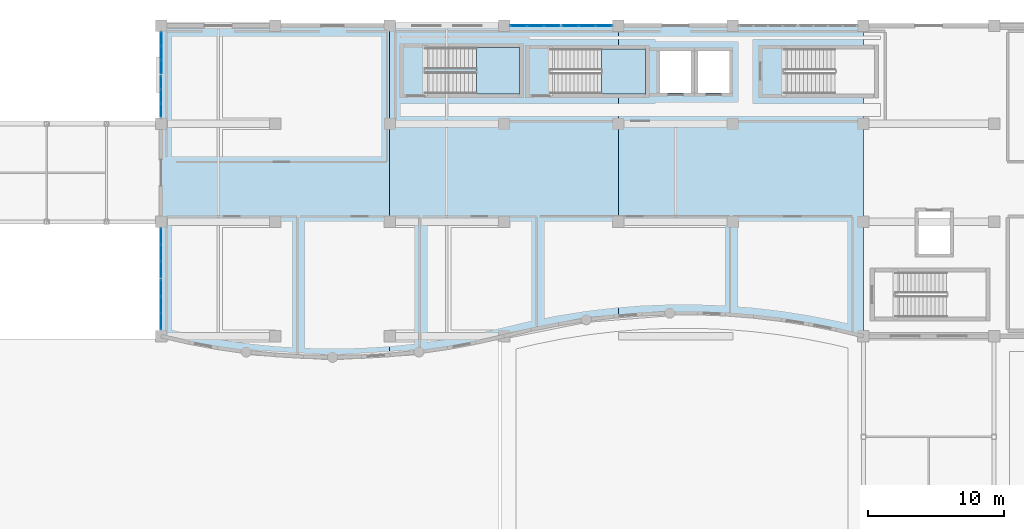
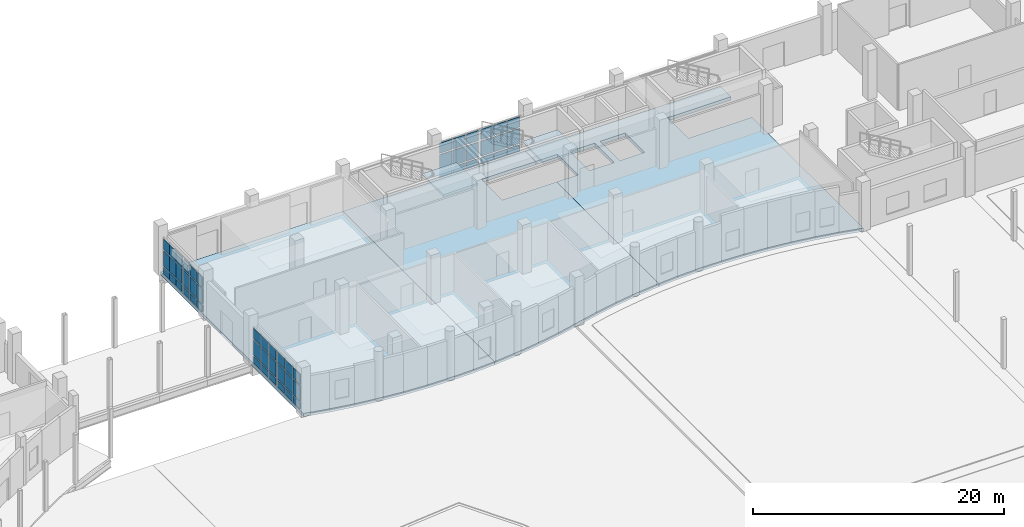
# One storey, part 51 of 97: 54 plates, 5 slabs, 8 elements without a shape of their own.
"""IFC4 building model written with IfcOpenShell, lengths in metres."""

import ifcopenshell
import ifcopenshell.guid

model = None  # the IFC model being written
_history = None  # IfcOwnerHistory: only IFC2X3 demands one
_inside = {}  # id of a spatial element -> (the spatial element, [elements in it])
_under = {}  # id of a project, library or spatial element -> (it, [spatial elements below it])
_declared = {}  # id of a project -> (the project, [libraries it declares])
_typed = {}  # id of a type object -> (the type object, [elements of that type])
_made_of = {}  # id of a material, layer set ... -> (it, [elements and type objects made of it])


def new_model(schema):
    """Start an empty IFC model of exactly this schema.

    Asked for "IFC4X3", IfcOpenShell would pick the latest addendum, in which some entities
    have other attributes; the version numbers below select the first issue.
    IFC2X3 requires an IfcOwnerHistory on every rooted entity: one is made here for all.
    """
    global model, _history
    if schema == "IFC4X3":
        model = ifcopenshell.file(schema_version=(4, 3, 0, 0))
    else:
        model = ifcopenshell.file(schema=schema)
    _inside.clear()
    _under.clear()
    _declared.clear()
    _typed.clear()
    _made_of.clear()
    _history = None
    if model.schema == "IFC2X3":
        org = make("IfcOrganization", Name="unknown")
        user = make(
            "IfcPersonAndOrganization",
            ThePerson=make("IfcPerson", FamilyName="unknown"),
            TheOrganization=org,
        )
        app = make(
            "IfcApplication",
            ApplicationDeveloper=org,
            Version="unknown",
            ApplicationFullName="unknown",
            ApplicationIdentifier="unknown",
        )
        _history = make(
            "IfcOwnerHistory",
            OwningUser=user,
            OwningApplication=app,
            ChangeAction="ADDED",
            CreationDate=0,
        )
    return model


def make(cls, **values):
    """One entity of the class cls with the attributes given. An attribute that is None is left unset."""
    return model.create_entity(
        cls, **{name: value for name, value in values.items() if value is not None}
    )


def rooted(cls, **values):
    """An entity with a GlobalId (a new one), such as an element, a storey or a relation."""
    return make(cls, GlobalId=ifcopenshell.guid.new(), OwnerHistory=_history, **values)


def si_unit(unit_type, name, prefix=None):
    """IfcSIUnit, for example si_unit("LENGTHUNIT", "METRE", prefix="MILLI")."""
    return make("IfcSIUnit", UnitType=unit_type, Prefix=prefix, Name=name)


def assignment(units):
    """IfcUnitAssignment: the units of a project."""
    return None if units is None else make("IfcUnitAssignment", Units=units)


def point(xyz):
    """IfcCartesianPoint."""
    return None if xyz is None else make("IfcCartesianPoint", Coordinates=xyz)


def direction(xyz):
    """IfcDirection."""
    return None if xyz is None else make("IfcDirection", DirectionRatios=xyz)


def frame(location, z_axis=None, x_axis=None):
    """IfcAxis2Placement3D, a coordinate frame: its origin and axes. An axis left out is left unset."""
    return make(
        "IfcAxis2Placement3D",
        Location=point(location),
        Axis=direction(z_axis),
        RefDirection=direction(x_axis),
    )


def frame_2d(location, x_axis=None):
    """IfcAxis2Placement2D, a coordinate frame in the plane: its origin and x axis."""
    return make(
        "IfcAxis2Placement2D", Location=point(location), RefDirection=direction(x_axis)
    )


def origin():
    """The frame at (0, 0, 0) with its axes left unset."""
    return frame((0.0, 0.0, 0.0))


def origin_2d():
    """The frame at (0, 0) in the plane with its x axis left unset."""
    return frame_2d((0.0, 0.0))


def place(relative_to, where):
    """IfcLocalPlacement: puts the frame where relative to a parent placement (None: the world)."""
    return make(
        "IfcLocalPlacement", PlacementRelTo=relative_to, RelativePlacement=where
    )


def context(
    kind, dimensions, precision=None, world=None, true_north=None, identifier=None
):
    """IfcGeometricRepresentationContext, for example the 3D "Model" context."""
    return make(
        "IfcGeometricRepresentationContext",
        ContextIdentifier=identifier,
        ContextType=kind,
        CoordinateSpaceDimension=dimensions,
        Precision=precision,
        WorldCoordinateSystem=world,
        TrueNorth=true_north,
    )


def subcontext(parent, identifier, kind, view, scale=None):
    """IfcGeometricRepresentationSubContext, for example "Body" below "Model"."""
    return make(
        "IfcGeometricRepresentationSubContext",
        ContextIdentifier=identifier,
        ContextType=kind,
        ParentContext=parent,
        TargetScale=scale,
        TargetView=view,
    )


def project(units=None, contexts=None):
    """IfcProject with its units and contexts."""
    return rooted(
        "IfcProject",
        Name="project",
        RepresentationContexts=contexts,
        UnitsInContext=assignment(units),
    )


def spatial(cls, under=None, at=None, **own):
    """A site, building, storey or space (cls), placed at a placement, below another one or the project."""
    s = rooted(cls, ObjectPlacement=at, **own)
    if under is not None:
        _under.setdefault(under.id(), (under, []))[1].append(s)
    return s


def polyline(points):
    """IfcPolyline through the points."""
    return make("IfcPolyline", Points=[point(p) for p in points])


def profile(cls, at=None, kind="AREA", **sizes):
    """A parametric profile (cls). Its sizes go by their IFC names, for example OverallWidth=200.0."""
    return make(cls, ProfileType=kind, Position=at, **sizes)


def rectangle(**sizes):
    """IfcRectangleProfileDef."""
    return profile("IfcRectangleProfileDef", **sizes)


def outline(outer, holes=None, kind="AREA"):
    """IfcArbitraryClosedProfileDef: a profile drawn as a closed curve; with holes, ...WithVoids."""
    if holes is None:
        return make("IfcArbitraryClosedProfileDef", ProfileType=kind, OuterCurve=outer)
    return make(
        "IfcArbitraryProfileDefWithVoids",
        ProfileType=kind,
        OuterCurve=outer,
        InnerCurves=holes,
    )


def extrude(swept, where, along, depth):
    """IfcExtrudedAreaSolid: the profile swept, set in the frame where, extruded along a direction by depth."""
    return make(
        "IfcExtrudedAreaSolid",
        SweptArea=swept,
        Position=where,
        ExtrudedDirection=direction(along),
        Depth=depth,
    )


def shape(context_of_items, identifier, shape_type, items):
    """IfcShapeRepresentation: the items that make up one representation, for example the "Body"."""
    return make(
        "IfcShapeRepresentation",
        ContextOfItems=context_of_items,
        RepresentationIdentifier=identifier,
        RepresentationType=shape_type,
        Items=items,
    )


def material(Name=None, Category=None):
    """IfcMaterial."""
    return make("IfcMaterial", Name=Name, Category=Category)


def layer(
    of_material, thickness, ventilated=None, Name=None, Category=None, Priority=None
):
    """IfcMaterialLayer: one layer of a wall or slab, of a material (None: an air gap)."""
    return make(
        "IfcMaterialLayer",
        Material=of_material,
        LayerThickness=thickness,
        IsVentilated=ventilated,
        Name=Name,
        Category=Category,
        Priority=Priority,
    )


def layer_set(layers, Name=None):
    """IfcMaterialLayerSet."""
    return make("IfcMaterialLayerSet", MaterialLayers=layers, LayerSetName=Name)


def made_of(thing, what):
    """Note that an element or type object is made of a material, layer set ...; save() writes the relation."""
    if what is not None:
        _made_of.setdefault(what.id(), (what, []))[1].append(thing)
    return thing


def type_object(cls, material=None, **own):
    """A type object (cls), such as IfcWallType, which elements share."""
    return made_of(rooted(cls, **own), material)


def element(
    cls,
    number,
    at=None,
    inside=None,
    cuts=None,
    type_object=None,
    material=None,
    context=None,
    identifier="Body",
    shape_type=None,
    held_by="IfcProductDefinitionShape",
    body=None,
    shapes=None,
    **own,
):
    """One element of the class cls, such as IfcWall. Its Tag is "e" and its number.

    at: its placement. inside: the storey or other place that contains it. cuts: it is an
    opening in that element (IfcRelVoidsElement). A single representation is given by context,
    identifier, shape_type and body (its items); several are given by shapes. held_by: the class
    of the entity that holds the representations. save() writes the other relations.
    """
    e = rooted(cls, Tag="e%d" % number, ObjectPlacement=at, **own)
    if body is not None:
        shapes = [shape(context, identifier, shape_type, body)]
    if shapes is not None:
        e.Representation = make(held_by, Representations=shapes)
    if inside is not None:
        _inside.setdefault(inside.id(), (inside, []))[1].append(e)
    if cuts is not None:
        rooted(
            "IfcRelVoidsElement", RelatingBuildingElement=cuts, RelatedOpeningElement=e
        )
    if type_object is not None:
        _typed.setdefault(type_object.id(), (type_object, []))[1].append(e)
    return made_of(e, material)


def aggregate(whole, parts):
    """IfcRelAggregates: a whole, such as a stair, and the parts it consists of."""
    return rooted("IfcRelAggregates", RelatingObject=whole, RelatedObjects=parts)


def save(model, path):
    """Write the relations noted so far, then the file.

    IfcRelAggregates (storeys below a building ...), IfcRelContainedInSpatialStructure (elements
    in a storey), IfcRelDefinesByType, IfcRelAssociatesMaterial and IfcRelDeclares: one each for
    every whole, place, type object, material and project.
    """
    for whole, parts in _under.values():
        aggregate(whole, parts)
    for where, things in _inside.values():
        rooted(
            "IfcRelContainedInSpatialStructure",
            RelatedElements=things,
            RelatingStructure=where,
        )
    for kind, things in _typed.values():
        rooted("IfcRelDefinesByType", RelatedObjects=things, RelatingType=kind)
    for what, things in _made_of.values():
        rooted("IfcRelAssociatesMaterial", RelatedObjects=things, RelatingMaterial=what)
    for by, libraries in _declared.values():
        rooted("IfcRelDeclares", RelatingContext=by, RelatedDefinitions=libraries)
    model.write(path)


model = new_model("IFC4")

# Units and contexts
model_context = context("Model", 3, precision=1e-05, world=origin(), true_north=direction((0.0, 1.0)))
body_context = subcontext(model_context, "Body", "Model", "MODEL_VIEW")
ifc_project = project(units=[si_unit("LENGTHUNIT", "METRE"), si_unit("AREAUNIT", "SQUARE_METRE"), si_unit("VOLUMEUNIT", "CUBIC_METRE"), si_unit("PLANEANGLEUNIT", "RADIAN"), si_unit("MASSUNIT", "GRAM", prefix="KILO")], contexts=[model_context])

# Site, building, storey
site_placement = place(None, origin())
site = spatial("IfcSite", under=ifc_project, at=site_placement, CompositionType="ELEMENT")
building_placement = place(site_placement, origin())
building = spatial("IfcBuilding", under=site, at=building_placement, Name="Kisaragi Civic Commons", CompositionType="ELEMENT")
storey_placement = place(building_placement, origin())
storey = spatial("IfcBuildingStorey", under=building, at=storey_placement, Name="L00", CompositionType="ELEMENT", Elevation=0.0)

# Curtain wall, plates
ifc_material_1 = material(Name="Thermally broken anodized aluminium and low-E double glazing", Category="aluminium")
ifc_layer_1 = layer(ifc_material_1, 0.179931640625, Name="Thermally broken anodized aluminium and low-E double glazing", Category="aluminium")
ifc_layer_set_1 = layer_set([ifc_layer_1], Name="Thermally broken anodized aluminium and low-E double glazing")
curtain_wall_type = type_object("IfcCurtainWallType", Name="CW-01", PredefinedType="NOTDEFINED", material=ifc_layer_set_1)
curtain_wall_1_placement = place(storey_placement, origin())
curtain_wall_1 = element("IfcCurtainWall", 1, at=curtain_wall_1_placement, inside=storey, type_object=curtain_wall_type, Name="L00 curtain wall CW-01 CW-V4-L00-045", PredefinedType="NOTDEFINED")
ifc_layer_2 = layer(ifc_material_1, 0.0439453125, Name="Thermally broken anodized aluminium and low-E double glazing", Category="aluminium")
ifc_layer_set_2 = layer_set([ifc_layer_2], Name="Thermally broken anodized aluminium and low-E double glazing")
plate_type_1 = type_object("IfcPlateType", Name="CWP-01", PredefinedType="CURTAIN_PANEL", material=ifc_layer_set_2)
plate_1_placement = place(storey_placement, frame((98.2763671875, 118.800048828125, 0.14013671875), z_axis=(0.0, 0.0, 1.0), x_axis=(1.0, 0.0, 0.0)))
plate_1 = element("IfcPlate", 2, at=plate_1_placement, type_object=plate_type_1, Name="CW-01 panel 1.1", PredefinedType="CURTAIN_PANEL", context=body_context, shape_type="SweptSolid", body=[
    extrude(rectangle(XDim=1.142578125, YDim=0.0439453125, at=origin_2d()), origin(), (0.0, 0.0, 1.0), 0.639892578125),
])
plate_2_placement = place(storey_placement, frame((98.2763671875, 118.800048828125, 0.919921875), z_axis=(0.0, 0.0, 1.0), x_axis=(1.0, 0.0, 0.0)))
plate_2 = element("IfcPlate", 3, at=plate_2_placement, type_object=plate_type_1, Name="CW-01 panel 1.2", PredefinedType="CURTAIN_PANEL", context=body_context, shape_type="SweptSolid", body=[
    extrude(rectangle(XDim=1.142578125, YDim=0.0439453125, at=origin_2d()), origin(), (0.0, 0.0, 1.0), 1.4599609375),
])
plate_3_placement = place(storey_placement, frame((98.2763671875, 118.800048828125, 2.52001953125), z_axis=(0.0, 0.0, 1.0), x_axis=(1.0, 0.0, 0.0)))
plate_3 = element("IfcPlate", 4, at=plate_3_placement, type_object=plate_type_1, Name="CW-01 panel 1.3", PredefinedType="CURTAIN_PANEL", context=body_context, shape_type="SweptSolid", body=[
    extrude(rectangle(XDim=1.142578125, YDim=0.0439453125, at=origin_2d()), origin(), (0.0, 0.0, 1.0), 1.010009765625),
])
plate_4_placement = place(storey_placement, frame((99.5, 118.800048828125, 0.14013671875), z_axis=(0.0, 0.0, 1.0), x_axis=(1.0, 0.0, 0.0)))
plate_4 = element("IfcPlate", 5, at=plate_4_placement, type_object=plate_type_1, Name="CW-01 panel 2.1", PredefinedType="CURTAIN_PANEL", context=body_context, shape_type="SweptSolid", body=[
    extrude(rectangle(XDim=1.175048828125, YDim=0.0439453125, at=origin_2d()), origin(), (0.0, 0.0, 1.0), 0.639892578125),
])
plate_5_placement = place(storey_placement, frame((99.5, 118.800048828125, 0.919921875), z_axis=(0.0, 0.0, 1.0), x_axis=(1.0, 0.0, 0.0)))
plate_5 = element("IfcPlate", 6, at=plate_5_placement, type_object=plate_type_1, Name="CW-01 panel 2.2", PredefinedType="CURTAIN_PANEL", context=body_context, shape_type="SweptSolid", body=[
    extrude(rectangle(XDim=1.175048828125, YDim=0.0439453125, at=origin_2d()), origin(), (0.0, 0.0, 1.0), 1.4599609375),
])
plate_6_placement = place(storey_placement, frame((99.5, 118.800048828125, 2.52001953125), z_axis=(0.0, 0.0, 1.0), x_axis=(1.0, 0.0, 0.0)))
plate_6 = element("IfcPlate", 7, at=plate_6_placement, type_object=plate_type_1, Name="CW-01 panel 2.3", PredefinedType="CURTAIN_PANEL", context=body_context, shape_type="SweptSolid", body=[
    extrude(rectangle(XDim=1.175048828125, YDim=0.0439453125, at=origin_2d()), origin(), (0.0, 0.0, 1.0), 1.010009765625),
])
plate_7_placement = place(storey_placement, frame((100.7236328125, 118.800048828125, 0.14013671875), z_axis=(0.0, 0.0, 1.0), x_axis=(1.0, 0.0, 0.0)))
plate_7 = element("IfcPlate", 8, at=plate_7_placement, type_object=plate_type_1, Name="CW-01 panel 3.1", PredefinedType="CURTAIN_PANEL", context=body_context, shape_type="SweptSolid", body=[
    extrude(rectangle(XDim=1.142578125, YDim=0.0439453125, at=origin_2d()), origin(), (0.0, 0.0, 1.0), 0.639892578125),
])
plate_8_placement = place(storey_placement, frame((100.7236328125, 118.800048828125, 0.919921875), z_axis=(0.0, 0.0, 1.0), x_axis=(1.0, 0.0, 0.0)))
plate_8 = element("IfcPlate", 9, at=plate_8_placement, type_object=plate_type_1, Name="CW-01 panel 3.2", PredefinedType="CURTAIN_PANEL", context=body_context, shape_type="SweptSolid", body=[
    extrude(rectangle(XDim=1.142578125, YDim=0.0439453125, at=origin_2d()), origin(), (0.0, 0.0, 1.0), 1.4599609375),
])
plate_9_placement = place(storey_placement, frame((100.7236328125, 118.800048828125, 2.52001953125), z_axis=(0.0, 0.0, 1.0), x_axis=(1.0, 0.0, 0.0)))
plate_9 = element("IfcPlate", 10, at=plate_9_placement, type_object=plate_type_1, Name="CW-01 panel 3.3", PredefinedType="CURTAIN_PANEL", context=body_context, shape_type="SweptSolid", body=[
    extrude(rectangle(XDim=1.142578125, YDim=0.0439453125, at=origin_2d()), origin(), (0.0, 0.0, 1.0), 1.010009765625),
])
aggregate(curtain_wall_1, [plate_1, plate_2, plate_3, plate_4, plate_5, plate_6, plate_7, plate_8, plate_9])

curtain_wall_2_placement = place(storey_placement, origin())
curtain_wall_2 = element("IfcCurtainWall", 11, at=curtain_wall_2_placement, inside=storey, type_object=curtain_wall_type, Name="L00 curtain wall CW-01 CW-V4-L00-046", PredefinedType="NOTDEFINED")
ifc_layer_3 = layer(ifc_material_1, 0.052001953125, Name="Thermally broken anodized aluminium and low-E double glazing", Category="aluminium")
ifc_layer_set_3 = layer_set([ifc_layer_3], Name="Thermally broken anodized aluminium and low-E double glazing")
plate_type_2 = type_object("IfcPlateType", Name="CWP-02", PredefinedType="CURTAIN_PANEL", material=ifc_layer_set_3)
plate_10_placement = place(storey_placement, frame((102.076171875, 118.800048828125, 0.14013671875), z_axis=(0.0, 0.0, 1.0), x_axis=(1.0, 0.0, 0.0)))
plate_10 = element("IfcPlate", 12, at=plate_10_placement, type_object=plate_type_2, Name="CW-01 panel 1.1", PredefinedType="CURTAIN_PANEL", context=body_context, shape_type="SweptSolid", body=[
    extrude(rectangle(XDim=1.142578125, YDim=0.052001953125, at=origin_2d()), origin(), (0.0, 0.0, 1.0), 0.639892578125),
])
plate_11_placement = place(storey_placement, frame((102.076171875, 118.800048828125, 0.919921875), z_axis=(0.0, 0.0, 1.0), x_axis=(1.0, 0.0, 0.0)))
plate_11 = element("IfcPlate", 13, at=plate_11_placement, type_object=plate_type_2, Name="CW-01 panel 1.2", PredefinedType="CURTAIN_PANEL", context=body_context, shape_type="SweptSolid", body=[
    extrude(rectangle(XDim=1.142578125, YDim=0.052001953125, at=origin_2d()), origin(), (0.0, 0.0, 1.0), 1.4599609375),
])
plate_12_placement = place(storey_placement, frame((102.076171875, 118.800048828125, 2.52001953125), z_axis=(0.0, 0.0, 1.0), x_axis=(1.0, 0.0, 0.0)))
plate_12 = element("IfcPlate", 14, at=plate_12_placement, type_object=plate_type_2, Name="CW-01 panel 1.3", PredefinedType="CURTAIN_PANEL", context=body_context, shape_type="SweptSolid", body=[
    extrude(rectangle(XDim=1.142578125, YDim=0.052001953125, at=origin_2d()), origin(), (0.0, 0.0, 1.0), 1.010009765625),
])
plate_13_placement = place(storey_placement, frame((103.300048828125, 118.800048828125, 0.14013671875), z_axis=(0.0, 0.0, 1.0), x_axis=(1.0, 0.0, 0.0)))
plate_13 = element("IfcPlate", 15, at=plate_13_placement, type_object=plate_type_2, Name="CW-01 panel 2.1", PredefinedType="CURTAIN_PANEL", context=body_context, shape_type="SweptSolid", body=[
    extrude(rectangle(XDim=1.175048828125, YDim=0.052001953125, at=origin_2d()), origin(), (0.0, 0.0, 1.0), 0.639892578125),
])
plate_14_placement = place(storey_placement, frame((103.300048828125, 118.800048828125, 0.919921875), z_axis=(0.0, 0.0, 1.0), x_axis=(1.0, 0.0, 0.0)))
plate_14 = element("IfcPlate", 16, at=plate_14_placement, type_object=plate_type_2, Name="CW-01 panel 2.2", PredefinedType="CURTAIN_PANEL", context=body_context, shape_type="SweptSolid", body=[
    extrude(rectangle(XDim=1.175048828125, YDim=0.052001953125, at=origin_2d()), origin(), (0.0, 0.0, 1.0), 1.4599609375),
])
plate_15_placement = place(storey_placement, frame((103.300048828125, 118.800048828125, 2.52001953125), z_axis=(0.0, 0.0, 1.0), x_axis=(1.0, 0.0, 0.0)))
plate_15 = element("IfcPlate", 17, at=plate_15_placement, type_object=plate_type_2, Name="CW-01 panel 2.3", PredefinedType="CURTAIN_PANEL", context=body_context, shape_type="SweptSolid", body=[
    extrude(rectangle(XDim=1.175048828125, YDim=0.052001953125, at=origin_2d()), origin(), (0.0, 0.0, 1.0), 1.010009765625),
])
plate_16_placement = place(storey_placement, frame((104.523681640625, 118.800048828125, 0.14013671875), z_axis=(0.0, 0.0, 1.0), x_axis=(1.0, 0.0, 0.0)))
plate_16 = element("IfcPlate", 18, at=plate_16_placement, type_object=plate_type_2, Name="CW-01 panel 3.1", PredefinedType="CURTAIN_PANEL", context=body_context, shape_type="SweptSolid", body=[
    extrude(rectangle(XDim=1.142578125, YDim=0.052001953125, at=origin_2d()), origin(), (0.0, 0.0, 1.0), 0.639892578125),
])
plate_17_placement = place(storey_placement, frame((104.523681640625, 118.800048828125, 0.919921875), z_axis=(0.0, 0.0, 1.0), x_axis=(1.0, 0.0, 0.0)))
plate_17 = element("IfcPlate", 19, at=plate_17_placement, type_object=plate_type_2, Name="CW-01 panel 3.2", PredefinedType="CURTAIN_PANEL", context=body_context, shape_type="SweptSolid", body=[
    extrude(rectangle(XDim=1.142578125, YDim=0.052001953125, at=origin_2d()), origin(), (0.0, 0.0, 1.0), 1.4599609375),
])
plate_18_placement = place(storey_placement, frame((104.523681640625, 118.800048828125, 2.52001953125), z_axis=(0.0, 0.0, 1.0), x_axis=(1.0, 0.0, 0.0)))
plate_18 = element("IfcPlate", 20, at=plate_18_placement, type_object=plate_type_2, Name="CW-01 panel 3.3", PredefinedType="CURTAIN_PANEL", context=body_context, shape_type="SweptSolid", body=[
    extrude(rectangle(XDim=1.142578125, YDim=0.052001953125, at=origin_2d()), origin(), (0.0, 0.0, 1.0), 1.010009765625),
])
aggregate(curtain_wall_2, [plate_10, plate_11, plate_12, plate_13, plate_14, plate_15, plate_16, plate_17, plate_18])

curtain_wall_3_placement = place(storey_placement, origin())
curtain_wall_3 = element("IfcCurtainWall", 21, at=curtain_wall_3_placement, inside=storey, type_object=curtain_wall_type, Name="L00 curtain wall CW-01 CW-V4-L00-055", PredefinedType="NOTDEFINED")
ifc_layer_4 = layer(ifc_material_1, 0.050048828125, Name="Thermally broken anodized aluminium and low-E double glazing", Category="aluminium")
ifc_layer_set_4 = layer_set([ifc_layer_4], Name="Thermally broken anodized aluminium and low-E double glazing")
plate_type_3 = type_object("IfcPlateType", Name="CWP-14", PredefinedType="CURTAIN_PANEL", material=ifc_layer_set_4)
plate_19_placement = place(storey_placement, frame((72.0, 97.076171875, 0.14013671875), z_axis=(0.0, 0.0, 1.0), x_axis=(0.0, 1.0, 0.0)))
plate_19 = element("IfcPlate", 22, at=plate_19_placement, type_object=plate_type_3, Name="CW-01 panel 1.1", PredefinedType="CURTAIN_PANEL", context=body_context, shape_type="SweptSolid", body=[
    extrude(rectangle(XDim=1.142578125, YDim=0.050048828125, at=origin_2d()), origin(), (0.0, 0.0, 1.0), 0.639892578125),
])
plate_20_placement = place(storey_placement, frame((72.0, 97.076171875, 0.919921875), z_axis=(0.0, 0.0, 1.0), x_axis=(0.0, 1.0, 0.0)))
plate_20 = element("IfcPlate", 23, at=plate_20_placement, type_object=plate_type_3, Name="CW-01 panel 1.2", PredefinedType="CURTAIN_PANEL", context=body_context, shape_type="SweptSolid", body=[
    extrude(rectangle(XDim=1.142578125, YDim=0.050048828125, at=origin_2d()), origin(), (0.0, 0.0, 1.0), 1.4599609375),
])
plate_21_placement = place(storey_placement, frame((72.0, 97.076171875, 2.52001953125), z_axis=(0.0, 0.0, 1.0), x_axis=(0.0, 1.0, 0.0)))
plate_21 = element("IfcPlate", 24, at=plate_21_placement, type_object=plate_type_3, Name="CW-01 panel 1.3", PredefinedType="CURTAIN_PANEL", context=body_context, shape_type="SweptSolid", body=[
    extrude(rectangle(XDim=1.142578125, YDim=0.050048828125, at=origin_2d()), origin(), (0.0, 0.0, 1.0), 1.010009765625),
])
plate_22_placement = place(storey_placement, frame((72.0, 98.300048828125, 0.14013671875), z_axis=(0.0, 0.0, 1.0), x_axis=(0.0, 1.0, 0.0)))
plate_22 = element("IfcPlate", 25, at=plate_22_placement, type_object=plate_type_3, Name="CW-01 panel 2.1", PredefinedType="CURTAIN_PANEL", context=body_context, shape_type="SweptSolid", body=[
    extrude(rectangle(XDim=1.175048828125, YDim=0.050048828125, at=origin_2d()), origin(), (0.0, 0.0, 1.0), 0.639892578125),
])
plate_23_placement = place(storey_placement, frame((72.0, 98.300048828125, 0.919921875), z_axis=(0.0, 0.0, 1.0), x_axis=(0.0, 1.0, 0.0)))
plate_23 = element("IfcPlate", 26, at=plate_23_placement, type_object=plate_type_3, Name="CW-01 panel 2.2", PredefinedType="CURTAIN_PANEL", context=body_context, shape_type="SweptSolid", body=[
    extrude(rectangle(XDim=1.175048828125, YDim=0.050048828125, at=origin_2d()), origin(), (0.0, 0.0, 1.0), 1.4599609375),
])
plate_24_placement = place(storey_placement, frame((72.0, 98.300048828125, 2.52001953125), z_axis=(0.0, 0.0, 1.0), x_axis=(0.0, 1.0, 0.0)))
plate_24 = element("IfcPlate", 27, at=plate_24_placement, type_object=plate_type_3, Name="CW-01 panel 2.3", PredefinedType="CURTAIN_PANEL", context=body_context, shape_type="SweptSolid", body=[
    extrude(rectangle(XDim=1.175048828125, YDim=0.050048828125, at=origin_2d()), origin(), (0.0, 0.0, 1.0), 1.010009765625),
])
plate_25_placement = place(storey_placement, frame((72.0, 99.523681640625, 0.14013671875), z_axis=(0.0, 0.0, 1.0), x_axis=(0.0, 1.0, 0.0)))
plate_25 = element("IfcPlate", 28, at=plate_25_placement, type_object=plate_type_3, Name="CW-01 panel 3.1", PredefinedType="CURTAIN_PANEL", context=body_context, shape_type="SweptSolid", body=[
    extrude(rectangle(XDim=1.142578125, YDim=0.050048828125, at=origin_2d()), origin(), (0.0, 0.0, 1.0), 0.639892578125),
])
plate_26_placement = place(storey_placement, frame((72.0, 99.523681640625, 0.919921875), z_axis=(0.0, 0.0, 1.0), x_axis=(0.0, 1.0, 0.0)))
plate_26 = element("IfcPlate", 29, at=plate_26_placement, type_object=plate_type_3, Name="CW-01 panel 3.2", PredefinedType="CURTAIN_PANEL", context=body_context, shape_type="SweptSolid", body=[
    extrude(rectangle(XDim=1.142578125, YDim=0.050048828125, at=origin_2d()), origin(), (0.0, 0.0, 1.0), 1.4599609375),
])
plate_27_placement = place(storey_placement, frame((72.0, 99.523681640625, 2.52001953125), z_axis=(0.0, 0.0, 1.0), x_axis=(0.0, 1.0, 0.0)))
plate_27 = element("IfcPlate", 30, at=plate_27_placement, type_object=plate_type_3, Name="CW-01 panel 3.3", PredefinedType="CURTAIN_PANEL", context=body_context, shape_type="SweptSolid", body=[
    extrude(rectangle(XDim=1.142578125, YDim=0.050048828125, at=origin_2d()), origin(), (0.0, 0.0, 1.0), 1.010009765625),
])
aggregate(curtain_wall_3, [plate_19, plate_20, plate_21, plate_22, plate_23, plate_24, plate_25, plate_26, plate_27])

curtain_wall_4_placement = place(storey_placement, origin())
curtain_wall_4 = element("IfcCurtainWall", 31, at=curtain_wall_4_placement, inside=storey, type_object=curtain_wall_type, Name="L00 curtain wall CW-01 CW-V4-L00-056", PredefinedType="NOTDEFINED")
ifc_layer_5 = layer(ifc_material_1, 0.053955078125, Name="Thermally broken anodized aluminium and low-E double glazing", Category="aluminium")
ifc_layer_set_5 = layer_set([ifc_layer_5], Name="Thermally broken anodized aluminium and low-E double glazing")
plate_type_4 = type_object("IfcPlateType", Name="CWP-15", PredefinedType="CURTAIN_PANEL", material=ifc_layer_set_5)
plate_28_placement = place(storey_placement, frame((72.0, 100.876220703125, 0.14013671875), z_axis=(0.0, 0.0, 1.0), x_axis=(0.0, 1.0, 0.0)))
plate_28 = element("IfcPlate", 32, at=plate_28_placement, type_object=plate_type_4, Name="CW-01 panel 1.1", PredefinedType="CURTAIN_PANEL", context=body_context, shape_type="SweptSolid", body=[
    extrude(rectangle(XDim=1.142578125, YDim=0.053955078125, at=origin_2d()), origin(), (0.0, 0.0, 1.0), 0.639892578125),
])
plate_29_placement = place(storey_placement, frame((72.0, 100.876220703125, 0.919921875), z_axis=(0.0, 0.0, 1.0), x_axis=(0.0, 1.0, 0.0)))
plate_29 = element("IfcPlate", 33, at=plate_29_placement, type_object=plate_type_4, Name="CW-01 panel 1.2", PredefinedType="CURTAIN_PANEL", context=body_context, shape_type="SweptSolid", body=[
    extrude(rectangle(XDim=1.142578125, YDim=0.053955078125, at=origin_2d()), origin(), (0.0, 0.0, 1.0), 1.4599609375),
])
plate_30_placement = place(storey_placement, frame((72.0, 100.876220703125, 2.52001953125), z_axis=(0.0, 0.0, 1.0), x_axis=(0.0, 1.0, 0.0)))
plate_30 = element("IfcPlate", 34, at=plate_30_placement, type_object=plate_type_4, Name="CW-01 panel 1.3", PredefinedType="CURTAIN_PANEL", context=body_context, shape_type="SweptSolid", body=[
    extrude(rectangle(XDim=1.142578125, YDim=0.053955078125, at=origin_2d()), origin(), (0.0, 0.0, 1.0), 1.010009765625),
])
plate_31_placement = place(storey_placement, frame((72.0, 102.10009765625, 0.14013671875), z_axis=(0.0, 0.0, 1.0), x_axis=(0.0, 1.0, 0.0)))
plate_31 = element("IfcPlate", 35, at=plate_31_placement, type_object=plate_type_4, Name="CW-01 panel 2.1", PredefinedType="CURTAIN_PANEL", context=body_context, shape_type="SweptSolid", body=[
    extrude(rectangle(XDim=1.175048828125, YDim=0.053955078125, at=origin_2d()), origin(), (0.0, 0.0, 1.0), 0.639892578125),
])
plate_32_placement = place(storey_placement, frame((72.0, 102.10009765625, 0.919921875), z_axis=(0.0, 0.0, 1.0), x_axis=(0.0, 1.0, 0.0)))
plate_32 = element("IfcPlate", 36, at=plate_32_placement, type_object=plate_type_4, Name="CW-01 panel 2.2", PredefinedType="CURTAIN_PANEL", context=body_context, shape_type="SweptSolid", body=[
    extrude(rectangle(XDim=1.175048828125, YDim=0.053955078125, at=origin_2d()), origin(), (0.0, 0.0, 1.0), 1.4599609375),
])
plate_33_placement = place(storey_placement, frame((72.0, 102.10009765625, 2.52001953125), z_axis=(0.0, 0.0, 1.0), x_axis=(0.0, 1.0, 0.0)))
plate_33 = element("IfcPlate", 37, at=plate_33_placement, type_object=plate_type_4, Name="CW-01 panel 2.3", PredefinedType="CURTAIN_PANEL", context=body_context, shape_type="SweptSolid", body=[
    extrude(rectangle(XDim=1.175048828125, YDim=0.053955078125, at=origin_2d()), origin(), (0.0, 0.0, 1.0), 1.010009765625),
])
plate_34_placement = place(storey_placement, frame((72.0, 103.32373046875, 0.14013671875), z_axis=(0.0, 0.0, 1.0), x_axis=(0.0, 1.0, 0.0)))
plate_34 = element("IfcPlate", 38, at=plate_34_placement, type_object=plate_type_4, Name="CW-01 panel 3.1", PredefinedType="CURTAIN_PANEL", context=body_context, shape_type="SweptSolid", body=[
    extrude(rectangle(XDim=1.142578125, YDim=0.053955078125, at=origin_2d()), origin(), (0.0, 0.0, 1.0), 0.639892578125),
])
plate_35_placement = place(storey_placement, frame((72.0, 103.32373046875, 0.919921875), z_axis=(0.0, 0.0, 1.0), x_axis=(0.0, 1.0, 0.0)))
plate_35 = element("IfcPlate", 39, at=plate_35_placement, type_object=plate_type_4, Name="CW-01 panel 3.2", PredefinedType="CURTAIN_PANEL", context=body_context, shape_type="SweptSolid", body=[
    extrude(rectangle(XDim=1.142578125, YDim=0.053955078125, at=origin_2d()), origin(), (0.0, 0.0, 1.0), 1.4599609375),
])
plate_36_placement = place(storey_placement, frame((72.0, 103.32373046875, 2.52001953125), z_axis=(0.0, 0.0, 1.0), x_axis=(0.0, 1.0, 0.0)))
plate_36 = element("IfcPlate", 40, at=plate_36_placement, type_object=plate_type_4, Name="CW-01 panel 3.3", PredefinedType="CURTAIN_PANEL", context=body_context, shape_type="SweptSolid", body=[
    extrude(rectangle(XDim=1.142578125, YDim=0.053955078125, at=origin_2d()), origin(), (0.0, 0.0, 1.0), 1.010009765625),
])
aggregate(curtain_wall_4, [plate_28, plate_29, plate_30, plate_31, plate_32, plate_33, plate_34, plate_35, plate_36])

curtain_wall_5_placement = place(storey_placement, origin())
curtain_wall_5 = element("IfcCurtainWall", 41, at=curtain_wall_5_placement, inside=storey, type_object=curtain_wall_type, Name="L00 curtain wall CW-01 CW-V4-L00-057", PredefinedType="NOTDEFINED")
ifc_layer_6 = layer(ifc_material_1, 0.06201171875, Name="Thermally broken anodized aluminium and low-E double glazing", Category="aluminium")
ifc_layer_set_6 = layer_set([ifc_layer_6], Name="Thermally broken anodized aluminium and low-E double glazing")
plate_type_5 = type_object("IfcPlateType", Name="CWP-16", PredefinedType="CURTAIN_PANEL", material=ifc_layer_set_6)
plate_37_placement = place(storey_placement, frame((72.0, 112.576171875, 0.14013671875), z_axis=(0.0, 0.0, 1.0), x_axis=(0.0, 1.0, 0.0)))
plate_37 = element("IfcPlate", 42, at=plate_37_placement, type_object=plate_type_5, Name="CW-01 panel 1.1", PredefinedType="CURTAIN_PANEL", context=body_context, shape_type="SweptSolid", body=[
    extrude(rectangle(XDim=0.9423828125, YDim=0.06201171875, at=origin_2d()), origin(), (0.0, 0.0, 1.0), 0.639892578125),
])
plate_38_placement = place(storey_placement, frame((72.0, 112.576171875, 0.919921875), z_axis=(0.0, 0.0, 1.0), x_axis=(0.0, 1.0, 0.0)))
plate_38 = element("IfcPlate", 43, at=plate_38_placement, type_object=plate_type_5, Name="CW-01 panel 1.2", PredefinedType="CURTAIN_PANEL", context=body_context, shape_type="SweptSolid", body=[
    extrude(rectangle(XDim=0.9423828125, YDim=0.06201171875, at=origin_2d()), origin(), (0.0, 0.0, 1.0), 1.4599609375),
])
plate_39_placement = place(storey_placement, frame((72.0, 112.576171875, 2.52001953125), z_axis=(0.0, 0.0, 1.0), x_axis=(0.0, 1.0, 0.0)))
plate_39 = element("IfcPlate", 44, at=plate_39_placement, type_object=plate_type_5, Name="CW-01 panel 1.3", PredefinedType="CURTAIN_PANEL", context=body_context, shape_type="SweptSolid", body=[
    extrude(rectangle(XDim=0.9423828125, YDim=0.06201171875, at=origin_2d()), origin(), (0.0, 0.0, 1.0), 1.010009765625),
])
plate_40_placement = place(storey_placement, frame((72.0, 113.60009765625, 0.14013671875), z_axis=(0.0, 0.0, 1.0), x_axis=(0.0, 1.0, 0.0)))
plate_40 = element("IfcPlate", 45, at=plate_40_placement, type_object=plate_type_5, Name="CW-01 panel 2.1", PredefinedType="CURTAIN_PANEL", context=body_context, shape_type="SweptSolid", body=[
    extrude(rectangle(XDim=0.97509765625, YDim=0.06201171875, at=origin_2d()), origin(), (0.0, 0.0, 1.0), 0.639892578125),
])
plate_41_placement = place(storey_placement, frame((72.0, 113.60009765625, 0.919921875), z_axis=(0.0, 0.0, 1.0), x_axis=(0.0, 1.0, 0.0)))
plate_41 = element("IfcPlate", 46, at=plate_41_placement, type_object=plate_type_5, Name="CW-01 panel 2.2", PredefinedType="CURTAIN_PANEL", context=body_context, shape_type="SweptSolid", body=[
    extrude(rectangle(XDim=0.97509765625, YDim=0.06201171875, at=origin_2d()), origin(), (0.0, 0.0, 1.0), 1.4599609375),
])
plate_42_placement = place(storey_placement, frame((72.0, 113.60009765625, 2.52001953125), z_axis=(0.0, 0.0, 1.0), x_axis=(0.0, 1.0, 0.0)))
plate_42 = element("IfcPlate", 47, at=plate_42_placement, type_object=plate_type_5, Name="CW-01 panel 2.3", PredefinedType="CURTAIN_PANEL", context=body_context, shape_type="SweptSolid", body=[
    extrude(rectangle(XDim=0.97509765625, YDim=0.06201171875, at=origin_2d()), origin(), (0.0, 0.0, 1.0), 1.010009765625),
])
plate_43_placement = place(storey_placement, frame((72.0, 114.623779296875, 0.14013671875), z_axis=(0.0, 0.0, 1.0), x_axis=(0.0, 1.0, 0.0)))
plate_43 = element("IfcPlate", 48, at=plate_43_placement, type_object=plate_type_5, Name="CW-01 panel 3.1", PredefinedType="CURTAIN_PANEL", context=body_context, shape_type="SweptSolid", body=[
    extrude(rectangle(XDim=0.9423828125, YDim=0.06201171875, at=origin_2d()), origin(), (0.0, 0.0, 1.0), 0.639892578125),
])
plate_44_placement = place(storey_placement, frame((72.0, 114.623779296875, 0.919921875), z_axis=(0.0, 0.0, 1.0), x_axis=(0.0, 1.0, 0.0)))
plate_44 = element("IfcPlate", 49, at=plate_44_placement, type_object=plate_type_5, Name="CW-01 panel 3.2", PredefinedType="CURTAIN_PANEL", context=body_context, shape_type="SweptSolid", body=[
    extrude(rectangle(XDim=0.9423828125, YDim=0.06201171875, at=origin_2d()), origin(), (0.0, 0.0, 1.0), 1.4599609375),
])
plate_45_placement = place(storey_placement, frame((72.0, 114.623779296875, 2.52001953125), z_axis=(0.0, 0.0, 1.0), x_axis=(0.0, 1.0, 0.0)))
plate_45 = element("IfcPlate", 50, at=plate_45_placement, type_object=plate_type_5, Name="CW-01 panel 3.3", PredefinedType="CURTAIN_PANEL", context=body_context, shape_type="SweptSolid", body=[
    extrude(rectangle(XDim=0.9423828125, YDim=0.06201171875, at=origin_2d()), origin(), (0.0, 0.0, 1.0), 1.010009765625),
])
aggregate(curtain_wall_5, [plate_37, plate_38, plate_39, plate_40, plate_41, plate_42, plate_43, plate_44, plate_45])

curtain_wall_6_placement = place(storey_placement, origin())
curtain_wall_6 = element("IfcCurtainWall", 51, at=curtain_wall_6_placement, inside=storey, type_object=curtain_wall_type, Name="L00 curtain wall CW-01 CW-V4-L00-058", PredefinedType="NOTDEFINED")
ifc_layer_7 = layer(ifc_material_1, 0.070068359375, Name="Thermally broken anodized aluminium and low-E double glazing", Category="aluminium")
ifc_layer_set_7 = layer_set([ifc_layer_7], Name="Thermally broken anodized aluminium and low-E double glazing")
plate_type_6 = type_object("IfcPlateType", Name="CWP-17", PredefinedType="CURTAIN_PANEL", material=ifc_layer_set_7)
plate_46_placement = place(storey_placement, frame((72.0, 115.7763671875, 0.14013671875), z_axis=(0.0, 0.0, 1.0), x_axis=(0.0, 1.0, 0.0)))
plate_46 = element("IfcPlate", 52, at=plate_46_placement, type_object=plate_type_6, Name="CW-01 panel 1.1", PredefinedType="CURTAIN_PANEL", context=body_context, shape_type="SweptSolid", body=[
    extrude(rectangle(XDim=0.9423828125, YDim=0.070068359375, at=origin_2d()), origin(), (0.0, 0.0, 1.0), 0.639892578125),
])
plate_47_placement = place(storey_placement, frame((72.0, 115.7763671875, 0.919921875), z_axis=(0.0, 0.0, 1.0), x_axis=(0.0, 1.0, 0.0)))
plate_47 = element("IfcPlate", 53, at=plate_47_placement, type_object=plate_type_6, Name="CW-01 panel 1.2", PredefinedType="CURTAIN_PANEL", context=body_context, shape_type="SweptSolid", body=[
    extrude(rectangle(XDim=0.9423828125, YDim=0.070068359375, at=origin_2d()), origin(), (0.0, 0.0, 1.0), 1.4599609375),
])
plate_48_placement = place(storey_placement, frame((72.0, 115.7763671875, 2.52001953125), z_axis=(0.0, 0.0, 1.0), x_axis=(0.0, 1.0, 0.0)))
plate_48 = element("IfcPlate", 54, at=plate_48_placement, type_object=plate_type_6, Name="CW-01 panel 1.3", PredefinedType="CURTAIN_PANEL", context=body_context, shape_type="SweptSolid", body=[
    extrude(rectangle(XDim=0.9423828125, YDim=0.070068359375, at=origin_2d()), origin(), (0.0, 0.0, 1.0), 1.010009765625),
])
plate_49_placement = place(storey_placement, frame((72.0, 116.800048828125, 0.14013671875), z_axis=(0.0, 0.0, 1.0), x_axis=(0.0, 1.0, 0.0)))
plate_49 = element("IfcPlate", 55, at=plate_49_placement, type_object=plate_type_6, Name="CW-01 panel 2.1", PredefinedType="CURTAIN_PANEL", context=body_context, shape_type="SweptSolid", body=[
    extrude(rectangle(XDim=0.97509765625, YDim=0.070068359375, at=origin_2d()), origin(), (0.0, 0.0, 1.0), 0.639892578125),
])
plate_50_placement = place(storey_placement, frame((72.0, 116.800048828125, 0.919921875), z_axis=(0.0, 0.0, 1.0), x_axis=(0.0, 1.0, 0.0)))
plate_50 = element("IfcPlate", 56, at=plate_50_placement, type_object=plate_type_6, Name="CW-01 panel 2.2", PredefinedType="CURTAIN_PANEL", context=body_context, shape_type="SweptSolid", body=[
    extrude(rectangle(XDim=0.97509765625, YDim=0.070068359375, at=origin_2d()), origin(), (0.0, 0.0, 1.0), 1.4599609375),
])
plate_51_placement = place(storey_placement, frame((72.0, 116.800048828125, 2.52001953125), z_axis=(0.0, 0.0, 1.0), x_axis=(0.0, 1.0, 0.0)))
plate_51 = element("IfcPlate", 57, at=plate_51_placement, type_object=plate_type_6, Name="CW-01 panel 2.3", PredefinedType="CURTAIN_PANEL", context=body_context, shape_type="SweptSolid", body=[
    extrude(rectangle(XDim=0.97509765625, YDim=0.070068359375, at=origin_2d()), origin(), (0.0, 0.0, 1.0), 1.010009765625),
])
plate_52_placement = place(storey_placement, frame((72.0, 117.82373046875, 0.14013671875), z_axis=(0.0, 0.0, 1.0), x_axis=(0.0, 1.0, 0.0)))
plate_52 = element("IfcPlate", 58, at=plate_52_placement, type_object=plate_type_6, Name="CW-01 panel 3.1", PredefinedType="CURTAIN_PANEL", context=body_context, shape_type="SweptSolid", body=[
    extrude(rectangle(XDim=0.9423828125, YDim=0.070068359375, at=origin_2d()), origin(), (0.0, 0.0, 1.0), 0.639892578125),
])
plate_53_placement = place(storey_placement, frame((72.0, 117.82373046875, 0.919921875), z_axis=(0.0, 0.0, 1.0), x_axis=(0.0, 1.0, 0.0)))
plate_53 = element("IfcPlate", 59, at=plate_53_placement, type_object=plate_type_6, Name="CW-01 panel 3.2", PredefinedType="CURTAIN_PANEL", context=body_context, shape_type="SweptSolid", body=[
    extrude(rectangle(XDim=0.9423828125, YDim=0.070068359375, at=origin_2d()), origin(), (0.0, 0.0, 1.0), 1.4599609375),
])
plate_54_placement = place(storey_placement, frame((72.0, 117.82373046875, 2.52001953125), z_axis=(0.0, 0.0, 1.0), x_axis=(0.0, 1.0, 0.0)))
plate_54 = element("IfcPlate", 60, at=plate_54_placement, type_object=plate_type_6, Name="CW-01 panel 3.3", PredefinedType="CURTAIN_PANEL", context=body_context, shape_type="SweptSolid", body=[
    extrude(rectangle(XDim=0.9423828125, YDim=0.070068359375, at=origin_2d()), origin(), (0.0, 0.0, 1.0), 1.010009765625),
])
aggregate(curtain_wall_6, [plate_46, plate_47, plate_48, plate_49, plate_50, plate_51, plate_52, plate_53, plate_54])

# Slabs
ifc_material_2 = material(Name="Concrete Fc30", Category="concrete")
ifc_layer_8 = layer(ifc_material_2, 0.324951171875, Name="Concrete Fc30", Category="concrete")
ifc_layer_set_8 = layer_set([ifc_layer_8], Name="Concrete Fc30")
slab_type_1 = type_object("IfcSlabType", Name="SL-G2", PredefinedType="BASESLAB", material=ifc_layer_set_8)
slab_1_placement = place(storey_placement, frame((0.0, 0.0, -0.324951171875)))
element("IfcSlab", 61, at=slab_1_placement, inside=storey, type_object=slab_type_1, Name="V4 L00 slab SL-G2 35", PredefinedType="BASESLAB", context=body_context, shape_type="SweptSolid", body=[
    extrude(outline(polyline([(88.800048828125, 94.62109375), (88.800048828125, 118.800048828125), (72.0, 118.800048828125), (72.0, 96.0), (74.06787109375, 95.528076171875), (76.153076171875, 95.14111328125), (78.25244140625, 94.839111328125), (80.362548828125, 94.623291015625), (82.4794921875, 94.49365234375), (84.60009765625, 94.450439453125), (86.720458984375, 94.49365234375), (88.800048828125, 94.62109375)])), origin(), (0.0, 0.0, 1.0), 0.324951171875),
])
slab_2_placement = place(storey_placement, frame((0.0, 0.0, -0.324951171875)))
element("IfcSlab", 62, at=slab_2_placement, inside=storey, type_object=slab_type_1, Name="V4 L00 slab SL-G2 36", PredefinedType="BASESLAB", context=body_context, shape_type="SweptSolid", body=[
    extrude(outline(polyline([(105.60009765625, 97.475830078125), (105.60009765625, 113.800048828125), (100.60009765625, 113.800048828125), (100.60009765625, 117.10009765625), (105.60009765625, 117.10009765625), (105.60009765625, 118.800048828125), (88.800048828125, 118.800048828125), (88.800048828125, 94.62109375), (88.83740234375, 94.623291015625), (90.947509765625, 94.839111328125), (93.046875, 95.14111328125), (95.132080078125, 95.528076171875), (97.199951171875, 96.0), (99.19580078125, 96.48193359375), (101.208984375, 96.884521484375), (103.236572265625, 97.20751953125), (105.275146484375, 97.4501953125), (105.60009765625, 97.475830078125)])), origin(), (0.0, 0.0, 1.0), 0.324951171875),
])
slab_3_placement = place(storey_placement, frame((0.0, 0.0, -0.324951171875)))
element("IfcSlab", 63, at=slab_3_placement, inside=storey, type_object=slab_type_1, Name="V4 L00 slab SL-G2 37", PredefinedType="BASESLAB", context=body_context, shape_type="SweptSolid", body=[
    extrude(outline(polyline([(123.60009765625, 96.0), (123.60009765625, 113.800048828125), (117.75, 113.800048828125), (117.75, 117.10009765625), (123.60009765625, 117.10009765625), (123.60009765625, 118.800048828125), (105.60009765625, 118.800048828125), (105.60009765625, 117.10009765625), (107.60009765625, 117.10009765625), (107.60009765625, 113.800048828125), (105.60009765625, 113.800048828125), (105.60009765625, 97.475830078125), (107.322021484375, 97.612060546875), (109.373291015625, 97.693115234375), (111.426513671875, 97.693115234375), (113.47802734375, 97.612060546875), (115.52490234375, 97.4501953125), (117.5634765625, 97.20751953125), (119.591064453125, 96.884521484375), (121.604248046875, 96.48193359375), (123.60009765625, 96.0)]), holes=[polyline([(108.64990234375, 116.949951171875), (108.64990234375, 113.85009765625), (110.949951171875, 113.85009765625), (110.949951171875, 116.949951171875), (108.64990234375, 116.949951171875)]), polyline([(111.449951171875, 116.949951171875), (111.449951171875, 113.85009765625), (113.75, 113.85009765625), (113.75, 116.949951171875), (111.449951171875, 116.949951171875)])]), origin(), (0.0, 0.0, 1.0), 0.324951171875),
])

# Stair, slab
stair_type_1 = type_object("IfcStairType", Name="ST-A", PredefinedType="HALF_TURN_STAIR", material=ifc_material_2)
stair_1_placement = place(storey_placement, origin())
stair_1 = element("IfcStair", 64, at=stair_1_placement, inside=storey, type_object=stair_type_1, Name="L00 Stair ST-L1", PredefinedType="HALF_TURN_STAIR")
ifc_layer_9 = layer(ifc_material_2, 0.199951171875, Name="Concrete Fc30", Category="concrete")
ifc_layer_set_9 = layer_set([ifc_layer_9], Name="Concrete Fc30")
slab_type_2 = type_object("IfcSlabType", Name="STL-01", PredefinedType="LANDING", material=ifc_layer_set_9)
slab_4_placement = place(storey_placement, frame((0.0, 0.0, 2.199951171875)))
slab_4 = element("IfcSlab", 65, at=slab_4_placement, type_object=slab_type_2, Name="ST-L1 landing 1", PredefinedType="LANDING", context=body_context, shape_type="SweptSolid", body=[
    extrude(outline(polyline([(104.3701171875, 113.800048828125), (107.60009765625, 113.800048828125), (107.60009765625, 117.10009765625), (104.3701171875, 117.10009765625), (104.3701171875, 113.800048828125)])), origin(), (0.0, 0.0, 1.0), 0.199951171875),
])
aggregate(stair_1, [slab_4])

stair_type_2 = type_object("IfcStairType", Name="ST-B", PredefinedType="HALF_TURN_STAIR", material=ifc_material_2)
stair_2_placement = place(storey_placement, origin())
stair_2 = element("IfcStair", 66, at=stair_2_placement, inside=storey, type_object=stair_type_2, Name="L00 Stair ST-L4", PredefinedType="HALF_TURN_STAIR")
slab_5_placement = place(storey_placement, frame((0.0, 0.0, 2.199951171875)))
slab_5 = element("IfcSlab", 67, at=slab_5_placement, type_object=slab_type_2, Name="ST-L4 landing 1", PredefinedType="LANDING", context=body_context, shape_type="SweptSolid", body=[
    extrude(outline(polyline([(95.169921875, 113.800048828125), (98.35009765625, 113.800048828125), (98.35009765625, 117.199951171875), (95.169921875, 117.199951171875), (95.169921875, 113.800048828125)])), origin(), (0.0, 0.0, 1.0), 0.199951171875),
])
aggregate(stair_2, [slab_5])

save(model, "model.ifc")
